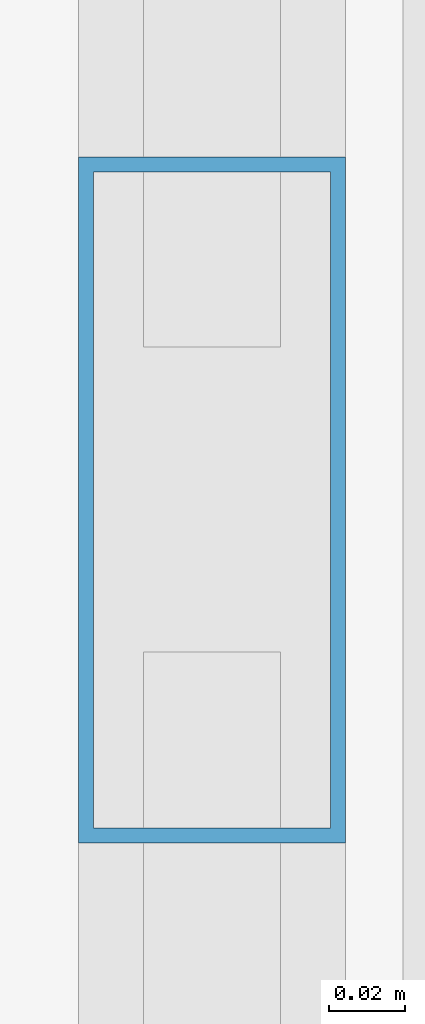
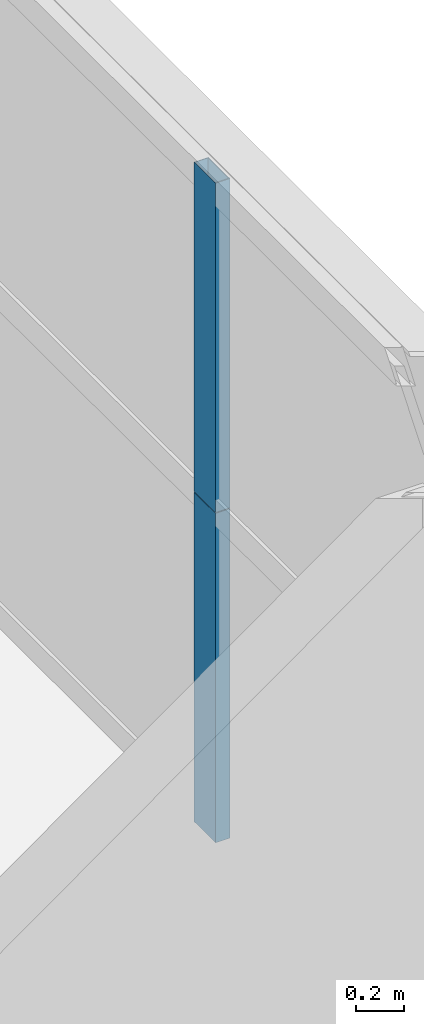
# One storey, part 29 of 39: 2 members, 1 element without a shape of its own.
"""IFC4 building model written with IfcOpenShell, lengths in metres."""

from ifc_helpers import new_model, si_unit, direction, frame, origin, origin_2d, place, context, subcontext, project, spatial, hollow_rectangle, extrude, source, transform, mapped, material, layer, layer_set, material_profile, profile_set, type_object, element, aggregate, save


model = new_model("IFC4")

# Units and contexts
model_context = context("Model", 3, precision=1e-05, world=origin(), true_north=direction((0.0, 1.0)))
body_context = subcontext(model_context, "Body", "Model", "MODEL_VIEW")
ifc_project = project(units=[si_unit("LENGTHUNIT", "METRE"), si_unit("AREAUNIT", "SQUARE_METRE"), si_unit("VOLUMEUNIT", "CUBIC_METRE"), si_unit("PLANEANGLEUNIT", "RADIAN"), si_unit("MASSUNIT", "GRAM", prefix="KILO"), si_unit("THERMODYNAMICTEMPERATUREUNIT", "KELVIN"), si_unit("POWERUNIT", "WATT")], contexts=[model_context])

# Site, building, storey
site_placement = place(None, origin())
site = spatial("IfcSite", under=ifc_project, at=site_placement, CompositionType="ELEMENT")
building_placement = place(site_placement, origin())
building = spatial("IfcBuilding", under=site, at=building_placement, Name="Yuzanri Waterfront Tower", CompositionType="ELEMENT")
storey_placement = place(building_placement, frame((0.0, 0.0, 134.39990234375)))
storey = spatial("IfcBuildingStorey", under=building, at=storey_placement, Name="L35", CompositionType="ELEMENT", Elevation=134.39990234375)

# Curtain wall, members
ifc_material_1 = material(Name="Anodized Architectural Bronze", Category="metal")
ifc_layer = layer(ifc_material_1, 0.159912109375)
ifc_layer_set = layer_set([ifc_layer], Name="Anodized Architectural Bronze")
curtain_wall_type = type_object("IfcCurtainWallType", Name="Anodized Bronze Hotel Upper-Tier Solar-Control Unitized Curtain Wall 7800", PredefinedType="NOTDEFINED", material=ifc_layer_set)
curtain_wall_placement = place(storey_placement, origin())
curtain_wall = element("IfcCurtainWall", 1, at=curtain_wall_placement, inside=storey, type_object=curtain_wall_type, Name="L35 Curtain Wall CW-L35-ER", PredefinedType="NOTDEFINED")
ifc_material_2 = material(Name="Anodized Architectural Bronze", Category="metal")
ifc_material_profile = material_profile(ifc_material_2, hollow_rectangle(XDim=0.070068359375, YDim=0.179931640625, WallThickness=0.00390625, at=origin_2d()), Name="CWM 70x180")
ifc_profile_set = profile_set([ifc_material_profile], Name="Anodized Architectural Bronze")
member_type = type_object("IfcMemberType", Name="Anodized Bronze Standard Curtain-Wall Mullion 70x180", PredefinedType="MULLION", material=ifc_profile_set)
shared_shape = source(origin(), body_context, "Body", "SweptSolid", [
    extrude(hollow_rectangle(XDim=0.070068359375, YDim=0.179931640625, WallThickness=0.00390625, at=origin_2d()), origin(), (0.0, 0.0, 1.0), 1.68798828125),
])
member_1_placement = place(storey_placement, frame((60.449951171875, 34.14990234375, 0.0), z_axis=(0.0, 0.0, 1.0), x_axis=(1.0, 0.0, 0.0)))
member_1 = element("IfcMember", 2, at=member_1_placement, type_object=member_type, Name="CW-L35-ER Lower Mullion 01", PredefinedType="MULLION", context=body_context, shape_type="MappedRepresentation", body=[
    mapped(shared_shape, transform((0.0, 0.0, 0.0), scale=1.0)),
])
member_2_placement = place(storey_placement, frame((60.449951171875, 34.14990234375, 1.692138671875), z_axis=(0.0, 0.0, 1.0), x_axis=(1.0, 0.0, 0.0)))
member_2 = element("IfcMember", 3, at=member_2_placement, type_object=member_type, Name="CW-L35-ER Upper Mullion 01", PredefinedType="MULLION", context=body_context, shape_type="MappedRepresentation", body=[
    mapped(shared_shape, transform((0.0, 0.0, 0.0), scale=1.0)),
])
aggregate(curtain_wall, [member_1, member_2])

save(model, "model.ifc")
